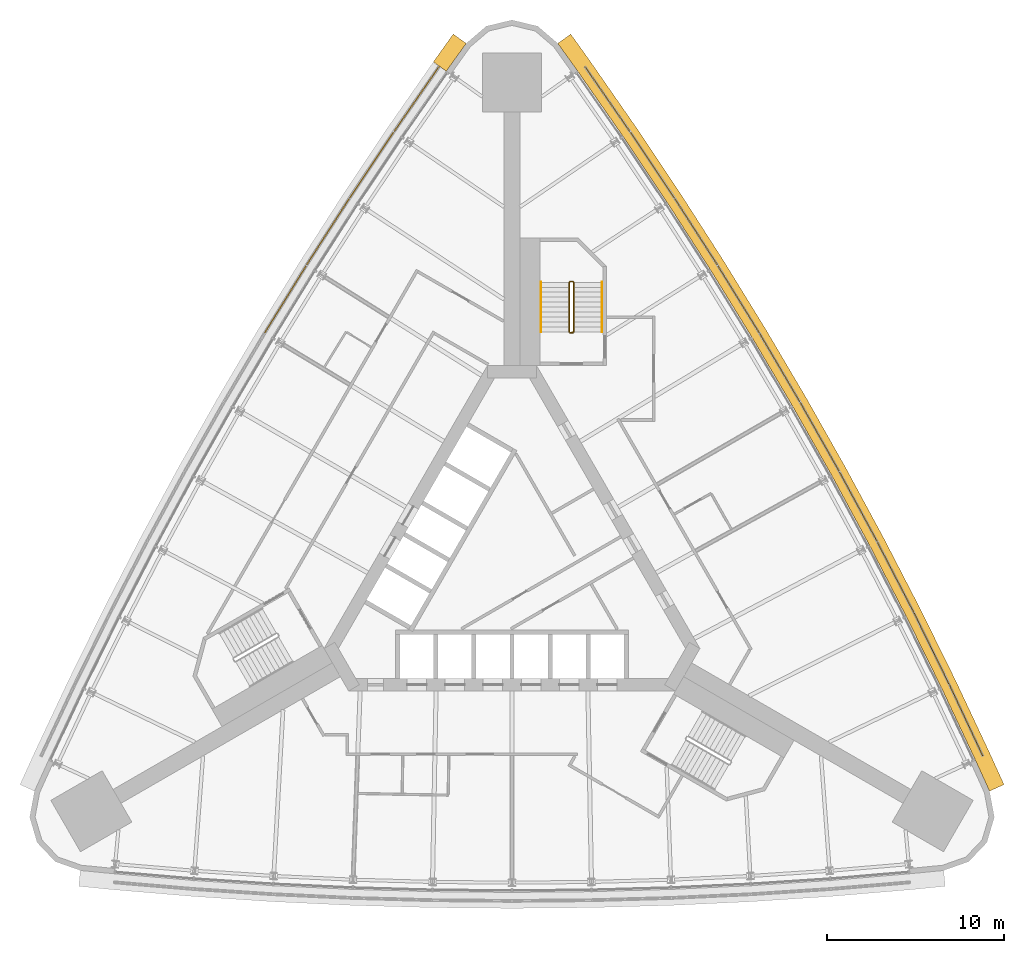
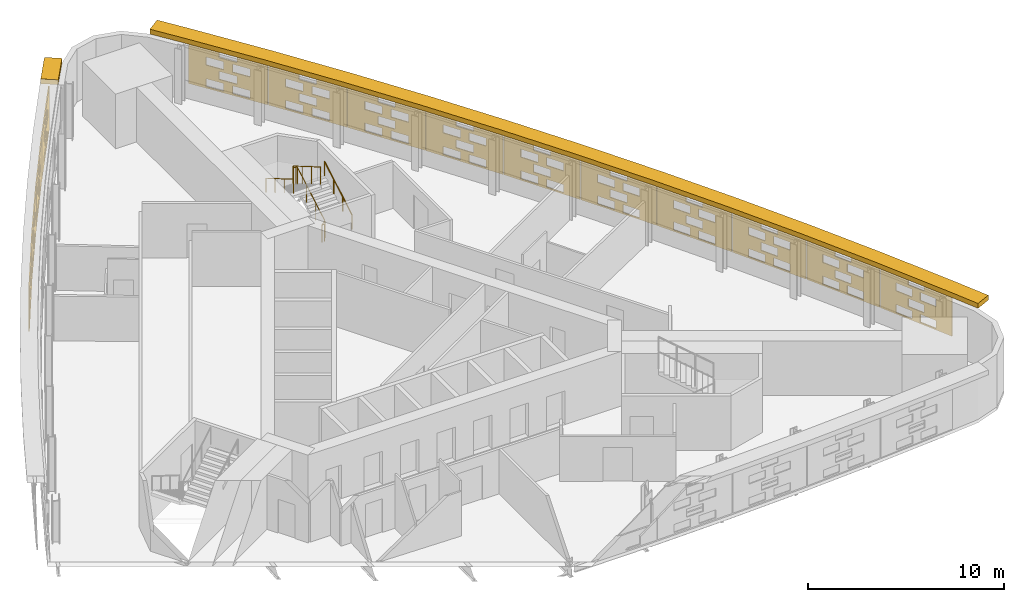
# One storey, part 14 of 14: 16 shading devices, 3 railings.
"""IFC4 building model written with IfcOpenShell, lengths in metres."""

from ifc_helpers import new_model, si_unit, direction, frame, origin, origin_2d, place, context, subcontext, project, spatial, polyline, circle, outline, extrude, material, material_profile, profile_set, type_object, element, save


model = new_model("IFC4")

# Units and contexts
model_context = context("Model", 3, precision=1e-05, world=origin(), true_north=direction((0.0, 1.0)))
body_context = subcontext(model_context, "Body", "Model", "MODEL_VIEW")
ifc_project = project(units=[si_unit("LENGTHUNIT", "METRE"), si_unit("AREAUNIT", "SQUARE_METRE"), si_unit("VOLUMEUNIT", "CUBIC_METRE"), si_unit("PLANEANGLEUNIT", "RADIAN"), si_unit("MASSUNIT", "GRAM", prefix="KILO")], contexts=[model_context])

# Site, building, storey
site_placement = place(None, origin())
site = spatial("IfcSite", under=ifc_project, at=site_placement, CompositionType="ELEMENT")
building_placement = place(site_placement, origin())
building = spatial("IfcBuilding", under=site, at=building_placement, Name="Noor Cloister Tower", CompositionType="ELEMENT")
storey_placement = place(building_placement, frame((0.0, 0.0, 42.0)))
storey = spatial("IfcBuildingStorey", under=building, at=storey_placement, Name="L10", CompositionType="ELEMENT", Elevation=42.0)

# Shading devices
ifc_material_1 = material(Name="Limestone", Category="masonry")
ifc_material_profile = material_profile(ifc_material_1, outline(polyline([(-2.22998046875, -1.35009765625), (2.22998046875, -1.35009765625), (2.22998046875, 1.35009765625), (-2.22998046875, 1.35009765625), (-2.22998046875, -1.35009765625)]), holes=[polyline([(-1.25, -1.263427734375), (-0.25, -1.263427734375), (-0.25, -0.76171875), (-1.25, -0.76171875), (-1.25, -1.263427734375)]), polyline([(0.25, -1.263427734375), (1.25, -1.263427734375), (1.25, -0.76171875), (0.25, -0.76171875), (0.25, -1.263427734375)]), polyline([(-0.5, -0.58837890625), (0.5, -0.58837890625), (0.5, -0.086669921875), (-0.5, -0.086669921875), (-0.5, -0.58837890625)]), polyline([(-1.25, 0.086669921875), (-0.25, 0.086669921875), (-0.25, 0.58837890625), (-1.25, 0.58837890625), (-1.25, 0.086669921875)]), polyline([(0.25, 0.086669921875), (1.25, 0.086669921875), (1.25, 0.58837890625), (0.25, 0.58837890625), (0.25, 0.086669921875)]), polyline([(-0.5, 0.76171875), (0.5, 0.76171875), (0.5, 1.263427734375), (-0.5, 1.263427734375), (-0.5, 0.76171875)])]), Name="Woven screen 25 percent open")
ifc_profile_set = profile_set([ifc_material_profile], Name="Limestone")
shading_device_type_1 = type_object("IfcShadingDeviceType", Name="SCREEN woven limestone 25 percent open", PredefinedType="USERDEFINED", material=ifc_profile_set)
shading_device_1_placement = place(storey_placement, frame((-5.36328125, 26.494384765625, 1.85009765625), z_axis=(-0.821899128607, 0.56963305943, 0.0), x_axis=(-0.56963305943, -0.821899128607, 0.0)))
element("IfcShadingDevice", 1, at=shading_device_1_placement, inside=storey, type_object=shading_device_type_1, Name="SCREEN L10 1", ObjectType="SCREEN", PredefinedType="USERDEFINED", context=body_context, shape_type="SweptSolid", body=[
    extrude(outline(polyline([(-2.22998046875, -1.35009765625), (2.22998046875, -1.35009765625), (2.22998046875, 1.35009765625), (-2.22998046875, 1.35009765625), (-2.22998046875, -1.35009765625)]), holes=[polyline([(-1.25, -1.263427734375), (-0.25, -1.263427734375), (-0.25, -0.76171875), (-1.25, -0.76171875), (-1.25, -1.263427734375)]), polyline([(0.25, -1.263427734375), (1.25, -1.263427734375), (1.25, -0.76171875), (0.25, -0.76171875), (0.25, -1.263427734375)]), polyline([(-0.5, -0.58837890625), (0.5, -0.58837890625), (0.5, -0.086669921875), (-0.5, -0.086669921875), (-0.5, -0.58837890625)]), polyline([(-1.25, 0.086669921875), (-0.25, 0.086669921875), (-0.25, 0.58837890625), (-1.25, 0.58837890625), (-1.25, 0.086669921875)]), polyline([(0.25, 0.086669921875), (1.25, 0.086669921875), (1.25, 0.58837890625), (0.25, 0.58837890625), (0.25, 0.086669921875)]), polyline([(-0.5, 0.76171875), (0.5, 0.76171875), (0.5, 1.263427734375), (-0.5, 1.263427734375), (-0.5, 0.76171875)])]), origin(), (0.0, 0.0, 1.0), 0.06005859375),
])
shading_device_2_placement = place(storey_placement, frame((-7.9033203125, 22.769775390625, 1.85009765625), z_axis=(-0.832050294338, 0.554700196225, 0.0), x_axis=(-0.554700196225, -0.832050294338, 0.0)))
element("IfcShadingDevice", 2, at=shading_device_2_placement, inside=storey, type_object=shading_device_type_1, Name="SCREEN L10 2", ObjectType="SCREEN", PredefinedType="USERDEFINED", context=body_context, shape_type="SweptSolid", body=[
    extrude(outline(polyline([(-2.22998046875, -1.35009765625), (2.22998046875, -1.35009765625), (2.22998046875, 1.35009765625), (-2.22998046875, 1.35009765625), (-2.22998046875, -1.35009765625)]), holes=[polyline([(-1.25, -1.263427734375), (-0.25, -1.263427734375), (-0.25, -0.76171875), (-1.25, -0.76171875), (-1.25, -1.263427734375)]), polyline([(0.25, -1.263427734375), (1.25, -1.263427734375), (1.25, -0.76171875), (0.25, -0.76171875), (0.25, -1.263427734375)]), polyline([(-0.5, -0.58837890625), (0.5, -0.58837890625), (0.5, -0.086669921875), (-0.5, -0.086669921875), (-0.5, -0.58837890625)]), polyline([(-1.25, 0.086669921875), (-0.25, 0.086669921875), (-0.25, 0.58837890625), (-1.25, 0.58837890625), (-1.25, 0.086669921875)]), polyline([(0.25, 0.086669921875), (1.25, 0.086669921875), (1.25, 0.58837890625), (0.25, 0.58837890625), (0.25, 0.086669921875)]), polyline([(-0.5, 0.76171875), (0.5, 0.76171875), (0.5, 1.263427734375), (-0.5, 1.263427734375), (-0.5, 0.76171875)])]), origin(), (0.0, 0.0, 1.0), 0.059814453125),
])
for number, where, z_axis, x_axis, name in (
    (3, (-10.373046875, 18.998291015625, 1.85009765625), (-0.841310503427, 0.540552159207, 0.0), (-0.540552159207, -0.841310503427, 0.0), "SCREEN L10 3"),
    (4, (-12.771728515625, 15.18115234375, 1.85009765625), (-0.850958576931, 0.525232805857, 0.0), (-0.525232805857, -0.850958576931, 0.0), "SCREEN L10 4"),
):
    element("IfcShadingDevice", number, at=place(storey_placement, frame(where, z_axis=z_axis, x_axis=x_axis)), inside=storey, type_object=shading_device_type_1, Name=name, ObjectType="SCREEN", PredefinedType="USERDEFINED", context=body_context, shape_type="SweptSolid", body=[
        extrude(outline(polyline([(-2.22998046875, -1.35009765625), (2.22998046875, -1.35009765625), (2.22998046875, 1.35009765625), (-2.22998046875, 1.35009765625), (-2.22998046875, -1.35009765625)]), holes=[polyline([(-1.25, -1.263427734375), (-0.25, -1.263427734375), (-0.25, -0.76171875), (-1.25, -0.76171875), (-1.25, -1.263427734375)]), polyline([(0.25, -1.263427734375), (1.25, -1.263427734375), (1.25, -0.76171875), (0.25, -0.76171875), (0.25, -1.263427734375)]), polyline([(-0.5, -0.58837890625), (0.5, -0.58837890625), (0.5, -0.086669921875), (-0.5, -0.086669921875), (-0.5, -0.58837890625)]), polyline([(-1.25, 0.086669921875), (-0.25, 0.086669921875), (-0.25, 0.58837890625), (-1.25, 0.58837890625), (-1.25, 0.086669921875)]), polyline([(0.25, 0.086669921875), (1.25, 0.086669921875), (1.25, 0.58837890625), (0.25, 0.58837890625), (0.25, 0.086669921875)]), polyline([(-0.5, 0.76171875), (0.5, 0.76171875), (0.5, 1.263427734375), (-0.5, 1.263427734375), (-0.5, 0.76171875)])]), origin(), (0.0, 0.0, 1.0), 0.06005859375),
    ])
for number, where, z_axis, x_axis, name in (
    (5, (25.62646484375, -8.602294921875, 1.85009765625), (0.905556888257, 0.424224848553, 0.0), (-0.424224848553, 0.905556888257, 0.0), "SCREEN L10 1"),
    (6, (23.6708984375, -4.540283203125, 1.85009765625), (0.897667610562, 0.440673190639, 0.0), (-0.440673190639, 0.897667610562, 0.0), "SCREEN L10 2"),
):
    element("IfcShadingDevice", number, at=place(storey_placement, frame(where, z_axis=z_axis, x_axis=x_axis)), inside=storey, type_object=shading_device_type_1, Name=name, ObjectType="SCREEN", PredefinedType="USERDEFINED", context=body_context, shape_type="SweptSolid", body=[
        extrude(outline(polyline([(-2.22998046875, -1.35009765625), (2.22998046875, -1.35009765625), (2.22998046875, 1.35009765625), (-2.22998046875, 1.35009765625), (-2.22998046875, -1.35009765625)]), holes=[polyline([(-1.25, -1.263427734375), (-0.25, -1.263427734375), (-0.25, -0.76171875), (-1.25, -0.76171875), (-1.25, -1.263427734375)]), polyline([(0.25, -1.263427734375), (1.25, -1.263427734375), (1.25, -0.76171875), (0.25, -0.76171875), (0.25, -1.263427734375)]), polyline([(-0.5, -0.58837890625), (0.5, -0.58837890625), (0.5, -0.086669921875), (-0.5, -0.086669921875), (-0.5, -0.58837890625)]), polyline([(-1.25, 0.086669921875), (-0.25, 0.086669921875), (-0.25, 0.58837890625), (-1.25, 0.58837890625), (-1.25, 0.086669921875)]), polyline([(0.25, 0.086669921875), (1.25, 0.086669921875), (1.25, 0.58837890625), (0.25, 0.58837890625), (0.25, 0.086669921875)]), polyline([(-0.5, 0.76171875), (0.5, 0.76171875), (0.5, 1.263427734375), (-0.5, 1.263427734375), (-0.5, 0.76171875)])]), origin(), (0.0, 0.0, 1.0), 0.059814453125),
    ])
for number, where, z_axis, x_axis, name in (
    (7, (21.6396484375, -0.515869140625, 1.85009765625), (0.887816162103, 0.460198285861, 0.0), (-0.460198285861, 0.887816162103, 0.0), "SCREEN L10 3"),
    (8, (19.533203125, 3.469970703125, 1.85009765625), (0.879291966537, 0.476283148541, 0.0), (-0.476283148541, 0.879291966537, 0.0), "SCREEN L10 4"),
    (9, (17.3525390625, 7.415771484375, 1.85009765625), (0.87048706901, 0.492191286683, 0.0), (-0.492191286683, 0.87048706901, 0.0), "SCREEN L10 5"),
):
    element("IfcShadingDevice", number, at=place(storey_placement, frame(where, z_axis=z_axis, x_axis=x_axis)), inside=storey, type_object=shading_device_type_1, Name=name, ObjectType="SCREEN", PredefinedType="USERDEFINED", context=body_context, shape_type="SweptSolid", body=[
        extrude(outline(polyline([(-2.22998046875, -1.35009765625), (2.22998046875, -1.35009765625), (2.22998046875, 1.35009765625), (-2.22998046875, 1.35009765625), (-2.22998046875, -1.35009765625)]), holes=[polyline([(-1.25, -1.263427734375), (-0.25, -1.263427734375), (-0.25, -0.76171875), (-1.25, -0.76171875), (-1.25, -1.263427734375)]), polyline([(0.25, -1.263427734375), (1.25, -1.263427734375), (1.25, -0.76171875), (0.25, -0.76171875), (0.25, -1.263427734375)]), polyline([(-0.5, -0.58837890625), (0.5, -0.58837890625), (0.5, -0.086669921875), (-0.5, -0.086669921875), (-0.5, -0.58837890625)]), polyline([(-1.25, 0.086669921875), (-0.25, 0.086669921875), (-0.25, 0.58837890625), (-1.25, 0.58837890625), (-1.25, 0.086669921875)]), polyline([(0.25, 0.086669921875), (1.25, 0.086669921875), (1.25, 0.58837890625), (0.25, 0.58837890625), (0.25, 0.086669921875)]), polyline([(-0.5, 0.76171875), (0.5, 0.76171875), (0.5, 1.263427734375), (-0.5, 1.263427734375), (-0.5, 0.76171875)])]), origin(), (0.0, 0.0, 1.0), 0.06005859375),
    ])
shading_device_3_placement = place(storey_placement, frame((15.0986328125, 11.320068359375, 1.85009765625), z_axis=(0.862144217858, 0.506662952675, 0.0), x_axis=(-0.506662952675, 0.862144217858, 0.0)))
element("IfcShadingDevice", 10, at=shading_device_3_placement, inside=storey, type_object=shading_device_type_1, Name="SCREEN L10 6", ObjectType="SCREEN", PredefinedType="USERDEFINED", context=body_context, shape_type="SweptSolid", body=[
    extrude(outline(polyline([(-2.22998046875, -1.35009765625), (2.22998046875, -1.35009765625), (2.22998046875, 1.35009765625), (-2.22998046875, 1.35009765625), (-2.22998046875, -1.35009765625)]), holes=[polyline([(-1.25, -1.263427734375), (-0.25, -1.263427734375), (-0.25, -0.76171875), (-1.25, -0.76171875), (-1.25, -1.263427734375)]), polyline([(0.25, -1.263427734375), (1.25, -1.263427734375), (1.25, -0.76171875), (0.25, -0.76171875), (0.25, -1.263427734375)]), polyline([(-0.5, -0.58837890625), (0.5, -0.58837890625), (0.5, -0.086669921875), (-0.5, -0.086669921875), (-0.5, -0.58837890625)]), polyline([(-1.25, 0.086669921875), (-0.25, 0.086669921875), (-0.25, 0.58837890625), (-1.25, 0.58837890625), (-1.25, 0.086669921875)]), polyline([(0.25, 0.086669921875), (1.25, 0.086669921875), (1.25, 0.58837890625), (0.25, 0.58837890625), (0.25, 0.086669921875)]), polyline([(-0.5, 0.76171875), (0.5, 0.76171875), (0.5, 1.263427734375), (-0.5, 1.263427734375), (-0.5, 0.76171875)])]), origin(), (0.0, 0.0, 1.0), 0.059814453125),
])
for number, where, z_axis, x_axis, name in (
    (11, (12.771728515625, 15.18115234375, 1.85009765625), (0.850958576931, 0.525232805857, 0.0), (-0.525232805857, 0.850958576931, 0.0), "SCREEN L10 7"),
    (12, (10.373046875, 18.998291015625, 1.85009765625), (0.841310503427, 0.540552159207, 0.0), (-0.540552159207, 0.841310503427, 0.0), "SCREEN L10 8"),
):
    element("IfcShadingDevice", number, at=place(storey_placement, frame(where, z_axis=z_axis, x_axis=x_axis)), inside=storey, type_object=shading_device_type_1, Name=name, ObjectType="SCREEN", PredefinedType="USERDEFINED", context=body_context, shape_type="SweptSolid", body=[
        extrude(outline(polyline([(-2.22998046875, -1.35009765625), (2.22998046875, -1.35009765625), (2.22998046875, 1.35009765625), (-2.22998046875, 1.35009765625), (-2.22998046875, -1.35009765625)]), holes=[polyline([(-1.25, -1.263427734375), (-0.25, -1.263427734375), (-0.25, -0.76171875), (-1.25, -0.76171875), (-1.25, -1.263427734375)]), polyline([(0.25, -1.263427734375), (1.25, -1.263427734375), (1.25, -0.76171875), (0.25, -0.76171875), (0.25, -1.263427734375)]), polyline([(-0.5, -0.58837890625), (0.5, -0.58837890625), (0.5, -0.086669921875), (-0.5, -0.086669921875), (-0.5, -0.58837890625)]), polyline([(-1.25, 0.086669921875), (-0.25, 0.086669921875), (-0.25, 0.58837890625), (-1.25, 0.58837890625), (-1.25, 0.086669921875)]), polyline([(0.25, 0.086669921875), (1.25, 0.086669921875), (1.25, 0.58837890625), (0.25, 0.58837890625), (0.25, 0.086669921875)]), polyline([(-0.5, 0.76171875), (0.5, 0.76171875), (0.5, 1.263427734375), (-0.5, 1.263427734375), (-0.5, 0.76171875)])]), origin(), (0.0, 0.0, 1.0), 0.06005859375),
    ])
shading_device_4_placement = place(storey_placement, frame((7.9033203125, 22.769775390625, 1.85009765625), z_axis=(0.832050294338, 0.554700196225, 0.0), x_axis=(-0.554700196225, 0.832050294338, 0.0)))
element("IfcShadingDevice", 13, at=shading_device_4_placement, inside=storey, type_object=shading_device_type_1, Name="SCREEN L10 9", ObjectType="SCREEN", PredefinedType="USERDEFINED", context=body_context, shape_type="SweptSolid", body=[
    extrude(outline(polyline([(-2.22998046875, -1.35009765625), (2.22998046875, -1.35009765625), (2.22998046875, 1.35009765625), (-2.22998046875, 1.35009765625), (-2.22998046875, -1.35009765625)]), holes=[polyline([(-1.25, -1.263427734375), (-0.25, -1.263427734375), (-0.25, -0.76171875), (-1.25, -0.76171875), (-1.25, -1.263427734375)]), polyline([(0.25, -1.263427734375), (1.25, -1.263427734375), (1.25, -0.76171875), (0.25, -0.76171875), (0.25, -1.263427734375)]), polyline([(-0.5, -0.58837890625), (0.5, -0.58837890625), (0.5, -0.086669921875), (-0.5, -0.086669921875), (-0.5, -0.58837890625)]), polyline([(-1.25, 0.086669921875), (-0.25, 0.086669921875), (-0.25, 0.58837890625), (-1.25, 0.58837890625), (-1.25, 0.086669921875)]), polyline([(0.25, 0.086669921875), (1.25, 0.086669921875), (1.25, 0.58837890625), (0.25, 0.58837890625), (0.25, 0.086669921875)]), polyline([(-0.5, 0.76171875), (0.5, 0.76171875), (0.5, 1.263427734375), (-0.5, 1.263427734375), (-0.5, 0.76171875)])]), origin(), (0.0, 0.0, 1.0), 0.059814453125),
])
shading_device_5_placement = place(storey_placement, frame((5.36328125, 26.494384765625, 1.85009765625), z_axis=(0.821899128607, 0.56963305943, 0.0), x_axis=(-0.56963305943, 0.821899128607, 0.0)))
element("IfcShadingDevice", 14, at=shading_device_5_placement, inside=storey, type_object=shading_device_type_1, Name="SCREEN L10 10", ObjectType="SCREEN", PredefinedType="USERDEFINED", context=body_context, shape_type="SweptSolid", body=[
    extrude(outline(polyline([(-2.22998046875, -1.35009765625), (2.22998046875, -1.35009765625), (2.22998046875, 1.35009765625), (-2.22998046875, 1.35009765625), (-2.22998046875, -1.35009765625)]), holes=[polyline([(-1.25, -1.263427734375), (-0.25, -1.263427734375), (-0.25, -0.76171875), (-1.25, -0.76171875), (-1.25, -1.263427734375)]), polyline([(0.25, -1.263427734375), (1.25, -1.263427734375), (1.25, -0.76171875), (0.25, -0.76171875), (0.25, -1.263427734375)]), polyline([(-0.5, -0.58837890625), (0.5, -0.58837890625), (0.5, -0.086669921875), (-0.5, -0.086669921875), (-0.5, -0.58837890625)]), polyline([(-1.25, 0.086669921875), (-0.25, 0.086669921875), (-0.25, 0.58837890625), (-1.25, 0.58837890625), (-1.25, 0.086669921875)]), polyline([(0.25, 0.086669921875), (1.25, 0.086669921875), (1.25, 0.58837890625), (0.25, 0.58837890625), (0.25, 0.086669921875)]), polyline([(-0.5, 0.76171875), (0.5, 0.76171875), (0.5, 1.263427734375), (-0.5, 1.263427734375), (-0.5, 0.76171875)])]), origin(), (0.0, 0.0, 1.0), 0.06005859375),
])
ifc_material_2 = material(Name="Limestone", Category="masonry")
shading_device_type_2 = type_object("IfcShadingDeviceType", Name="SUNSHADE limestone band 900", PredefinedType="USERDEFINED", material=ifc_material_2)
shading_device_6_placement = place(storey_placement, frame((0.0, 0.0, 3.300048828125)))
element("IfcShadingDevice", 15, at=shading_device_6_placement, inside=storey, type_object=shading_device_type_2, Name="SUNSHADE L10 3", ObjectType="SUNSHADE", PredefinedType="USERDEFINED", context=body_context, shape_type="SweptSolid", body=[
    extrude(outline(polyline([(27.79248046875, -12.21435546875), (26.9931640625, -10.45263671875), (25.072998046875, -6.366943359375), (23.07568359375, -2.31591796875), (21.0029296875, 1.697265625), (18.855224609375, 5.6708984375), (16.633544921875, 9.603515625), (14.338623046875, 13.49365234375), (11.971435546875, 17.34033203125), (9.5322265625, 21.14208984375), (7.0224609375, 24.8974609375), (4.4443359375, 28.60302734375), (3.318359375, 30.17626953125), (2.58642578125, 29.65234375), (3.708984375, 28.084228515625), (6.279052734375, 24.390380859375), (8.779296875, 20.64892578125), (11.209228515625, 16.861572265625), (13.56787109375, 13.029296875), (15.854248046875, 9.1533203125), (18.067626953125, 5.2353515625), (20.207275390625, 1.27685546875), (22.272216796875, -2.721435546875), (24.26220703125, -6.75732421875), (26.176025390625, -10.830078125), (26.972900390625, -12.586181640625), (27.79248046875, -12.21435546875)])), origin(), (0.0, 0.0, 1.0), 0.300048828125),
])
shading_device_7_placement = place(storey_placement, frame((0.0, 0.0, 3.300048828125)))
element("IfcShadingDevice", 16, at=shading_device_7_placement, inside=storey, type_object=shading_device_type_2, Name="SUNSHADE L10 4", ObjectType="SUNSHADE", PredefinedType="USERDEFINED", context=body_context, shape_type="SweptSolid", body=[
    extrude(outline(polyline([(-3.318359375, 30.17626953125), (-4.44091796875, 28.608154296875), (-3.708984375, 28.084228515625), (-2.58642578125, 29.65234375), (-3.318359375, 30.17626953125)])), origin(), (0.0, 0.0, 1.0), 0.300048828125),
])

# Railings
ifc_material_3 = material(Name="Stainless steel", Category="steel")
railing_type_1 = type_object("IfcRailingType", Name="Stair guard 1100", PredefinedType="GUARDRAIL", material=ifc_material_3)
railing_1_placement = place(storey_placement, frame((3.435546875, 13.306396484375, 0.0)))
element("IfcRailing", 17, at=railing_1_placement, inside=storey, type_object=railing_type_1, Name="Stair guard ST1 L10", PredefinedType="GUARDRAIL", context=body_context, shape_type="SweptSolid", body=[
    extrude(circle(Radius=0.02392578125, at=origin_2d()), frame((0.0, 0.0, 1.076171875), z_axis=(-1.0, 0.0, 0.0), x_axis=(0.0, -1.0, 0.0)), (0.0, 0.0, 1.0), 0.14990234375),
    extrude(circle(Radius=0.02392578125, at=origin_2d()), frame((-0.14990234375, 0.0, 1.076171875), z_axis=(0.759870394187, 0.190199549216, 0.621627795), x_axis=(-0.242814311512, 0.970072785993, 0.0)), (0.0, 0.0, 1.0), 0.26318359375),
    extrude(circle(Radius=0.02392578125, at=origin_2d()), frame((0.050048828125, 0.050048828125, 1.23974609375), z_axis=(0.0, 0.863360870873, 0.504586966384), x_axis=(-1.0, 0.0, 0.0)), (0.0, 0.0, 1.0), 3.2431640625),
    extrude(circle(Radius=0.02392578125, at=origin_2d()), frame((0.050048828125, 2.85009765625, 2.8759765625), z_axis=(-0.708833529934, 0.705375805398, 0.0), x_axis=(-0.705375805398, -0.708833529934, 0.0)), (0.0, 0.0, 1.0), 0.070556640625),
    extrude(circle(Radius=0.02392578125, at=origin_2d()), frame((0.0, 2.89990234375, 2.8759765625), z_axis=(-1.0, 0.0, 0.0), x_axis=(0.0, -1.0, 0.0)), (0.0, 0.0, 1.0), 0.14990234375),
    extrude(circle(Radius=0.02392578125, at=origin_2d()), frame((-0.14990234375, 2.89990234375, 2.8759765625), z_axis=(-0.280916556609, -0.279546231943, 0.91811752648), x_axis=(0.705375805398, -0.708833529934, 0.0)), (0.0, 0.0, 1.0), 0.17822265625),
    extrude(circle(Radius=0.02392578125, at=origin_2d()), frame((-0.199951171875, 2.85009765625, 3.03955078125), z_axis=(0.0, -0.863360870873, 0.504586966384), x_axis=(1.0, 0.0, 0.0)), (0.0, 0.0, 1.0), 3.2431640625),
    extrude(circle(Radius=0.02099609375, at=origin_2d()), origin(), (0.0, 0.0, 1.0), 1.052001953125),
    extrude(circle(Radius=0.02099609375, at=origin_2d()), frame((-0.14990234375, 0.0, 0.0)), (0.0, 0.0, 1.0), 1.052001953125),
    extrude(circle(Radius=0.02099609375, at=origin_2d()), frame((0.050048828125, 0.050048828125, 0.16357421875)), (0.0, 0.0, 1.0), 1.052001953125),
    extrude(circle(Radius=0.02099609375, at=origin_2d()), frame((0.050048828125, 0.9833984375, 0.708984375)), (0.0, 0.0, 1.0), 1.052001953125),
    extrude(circle(Radius=0.02099609375, at=origin_2d()), frame((0.050048828125, 1.916748046875, 1.254638671875)), (0.0, 0.0, 1.0), 1.052001953125),
    extrude(circle(Radius=0.02099609375, at=origin_2d()), frame((0.050048828125, 2.85009765625, 1.800048828125)), (0.0, 0.0, 1.0), 1.052001953125),
    extrude(circle(Radius=0.02099609375, at=origin_2d()), frame((0.0, 2.89990234375, 1.800048828125)), (0.0, 0.0, 1.0), 1.052001953125),
    extrude(circle(Radius=0.02099609375, at=origin_2d()), frame((-0.14990234375, 2.89990234375, 1.800048828125)), (0.0, 0.0, 1.0), 1.052001953125),
    extrude(circle(Radius=0.02099609375, at=origin_2d()), frame((-0.199951171875, 2.85009765625, 1.963623046875)), (0.0, 0.0, 1.0), 1.052001953125),
    extrude(circle(Radius=0.02099609375, at=origin_2d()), frame((-0.199951171875, 1.916748046875, 2.509033203125)), (0.0, 0.0, 1.0), 1.052001953125),
    extrude(circle(Radius=0.02099609375, at=origin_2d()), frame((-0.199951171875, 0.9833984375, 3.0546875)), (0.0, 0.0, 1.0), 1.052001953125),
    extrude(circle(Radius=0.02099609375, at=origin_2d()), frame((-0.199951171875, 0.050048828125, 3.60009765625)), (0.0, 0.0, 1.0), 1.052001953125),
])
ifc_material_4 = material(Name="Stainless steel", Category="steel")
railing_type_2 = type_object("IfcRailingType", Name="Stair handrail 900", PredefinedType="HANDRAIL", material=ifc_material_4)
railing_2_placement = place(storey_placement, frame((5.085693359375, 13.3564453125, 0.16357421875)))
element("IfcRailing", 18, at=railing_2_placement, inside=storey, type_object=railing_type_2, Name="Stair handrail ST1 L10 1", PredefinedType="HANDRAIL", context=body_context, shape_type="SweptSolid", body=[
    extrude(circle(Radius=0.02392578125, at=origin_2d()), frame((0.0, 0.0, 0.8759765625), z_axis=(0.0, 0.863360870873, 0.504586966384), x_axis=(-1.0, 0.0, 0.0)), (0.0, 0.0, 1.0), 3.2431640625),
    extrude(circle(Radius=0.02099609375, at=origin_2d()), origin(), (0.0, 0.0, 1.0), 0.851806640625),
    extrude(circle(Radius=0.02099609375, at=origin_2d()), frame((0.0, 0.933349609375, 0.54541015625)), (0.0, 0.0, 1.0), 0.851806640625),
    extrude(circle(Radius=0.02099609375, at=origin_2d()), frame((0.0, 1.86669921875, 1.091064453125)), (0.0, 0.0, 1.0), 0.851806640625),
    extrude(circle(Radius=0.02099609375, at=origin_2d()), frame((0.0, 2.800048828125, 1.636474609375)), (0.0, 0.0, 1.0), 0.851806640625),
])
railing_3_placement = place(storey_placement, frame((1.6357421875, 16.156494140625, 1.963623046875)))
element("IfcRailing", 19, at=railing_3_placement, inside=storey, type_object=railing_type_2, Name="Stair handrail ST1 L10 2", PredefinedType="HANDRAIL", context=body_context, shape_type="SweptSolid", body=[
    extrude(circle(Radius=0.02392578125, at=origin_2d()), frame((0.0, 0.0, 0.8759765625), z_axis=(0.0, -0.863360870873, 0.504586966384), x_axis=(1.0, 0.0, 0.0)), (0.0, 0.0, 1.0), 3.2431640625),
    extrude(circle(Radius=0.02099609375, at=origin_2d()), origin(), (0.0, 0.0, 1.0), 0.851806640625),
    extrude(circle(Radius=0.02099609375, at=origin_2d()), frame((0.0, -0.933349609375, 0.54541015625)), (0.0, 0.0, 1.0), 0.851806640625),
    extrude(circle(Radius=0.02099609375, at=origin_2d()), frame((0.0, -1.86669921875, 1.091064453125)), (0.0, 0.0, 1.0), 0.851806640625),
    extrude(circle(Radius=0.02099609375, at=origin_2d()), frame((0.0, -2.800048828125, 1.636474609375)), (0.0, 0.0, 1.0), 0.851806640625),
])

save(model, "model.ifc")
